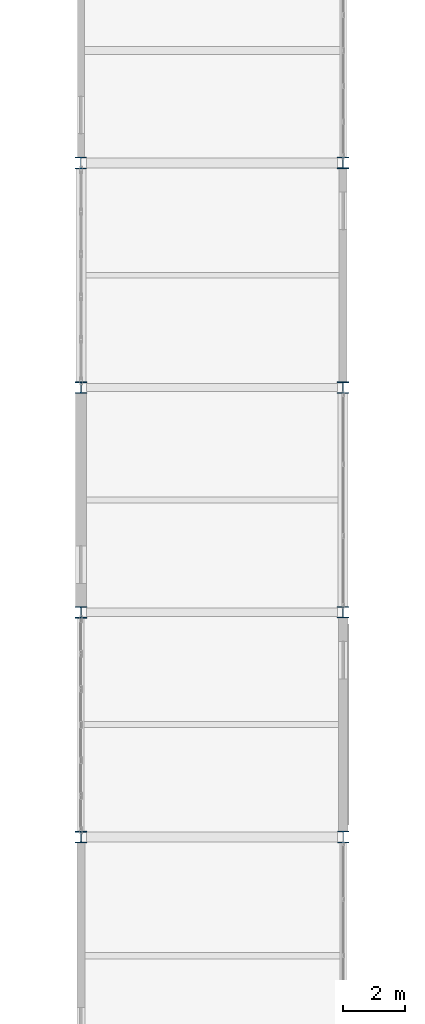
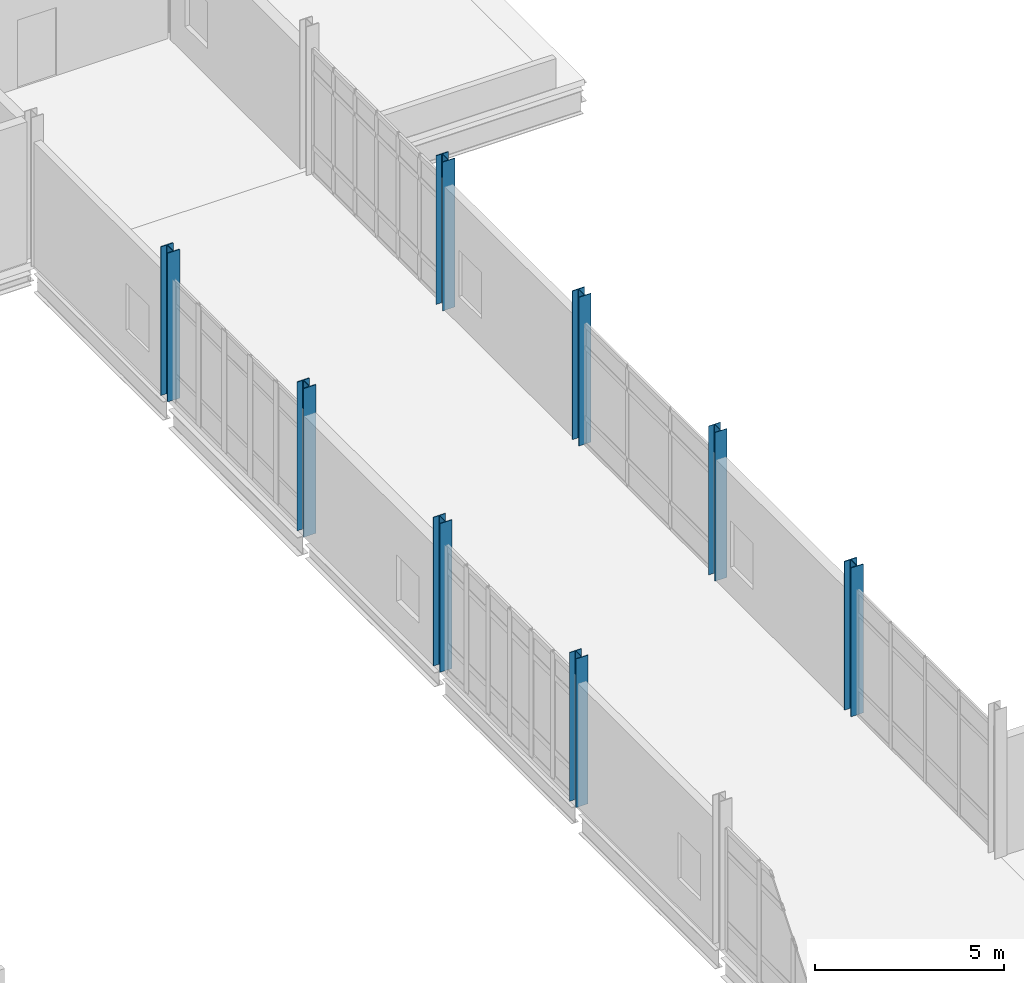
# One storey, part 11 of 186: 8 columns.
"""IFC4 building model written with IfcOpenShell, lengths in metres."""

import ifcopenshell
import ifcopenshell.guid

model = None  # the IFC model being written
_history = None  # IfcOwnerHistory: only IFC2X3 demands one
_inside = {}  # id of a spatial element -> (the spatial element, [elements in it])
_under = {}  # id of a project, library or spatial element -> (it, [spatial elements below it])
_declared = {}  # id of a project -> (the project, [libraries it declares])
_typed = {}  # id of a type object -> (the type object, [elements of that type])
_made_of = {}  # id of a material, layer set ... -> (it, [elements and type objects made of it])


def new_model(schema):
    """Start an empty IFC model of exactly this schema.

    Asked for "IFC4X3", IfcOpenShell would pick the latest addendum, in which some entities
    have other attributes; the version numbers below select the first issue.
    IFC2X3 requires an IfcOwnerHistory on every rooted entity: one is made here for all.
    """
    global model, _history
    if schema == "IFC4X3":
        model = ifcopenshell.file(schema_version=(4, 3, 0, 0))
    else:
        model = ifcopenshell.file(schema=schema)
    _inside.clear()
    _under.clear()
    _declared.clear()
    _typed.clear()
    _made_of.clear()
    _history = None
    if model.schema == "IFC2X3":
        org = make("IfcOrganization", Name="unknown")
        user = make(
            "IfcPersonAndOrganization",
            ThePerson=make("IfcPerson", FamilyName="unknown"),
            TheOrganization=org,
        )
        app = make(
            "IfcApplication",
            ApplicationDeveloper=org,
            Version="unknown",
            ApplicationFullName="unknown",
            ApplicationIdentifier="unknown",
        )
        _history = make(
            "IfcOwnerHistory",
            OwningUser=user,
            OwningApplication=app,
            ChangeAction="ADDED",
            CreationDate=0,
        )
    return model


def make(cls, **values):
    """One entity of the class cls with the attributes given. An attribute that is None is left unset."""
    return model.create_entity(
        cls, **{name: value for name, value in values.items() if value is not None}
    )


def rooted(cls, **values):
    """An entity with a GlobalId (a new one), such as an element, a storey or a relation."""
    return make(cls, GlobalId=ifcopenshell.guid.new(), OwnerHistory=_history, **values)


def si_unit(unit_type, name, prefix=None):
    """IfcSIUnit, for example si_unit("LENGTHUNIT", "METRE", prefix="MILLI")."""
    return make("IfcSIUnit", UnitType=unit_type, Prefix=prefix, Name=name)


def assignment(units):
    """IfcUnitAssignment: the units of a project."""
    return None if units is None else make("IfcUnitAssignment", Units=units)


def point(xyz):
    """IfcCartesianPoint."""
    return None if xyz is None else make("IfcCartesianPoint", Coordinates=xyz)


def direction(xyz):
    """IfcDirection."""
    return None if xyz is None else make("IfcDirection", DirectionRatios=xyz)


def frame(location, z_axis=None, x_axis=None):
    """IfcAxis2Placement3D, a coordinate frame: its origin and axes. An axis left out is left unset."""
    return make(
        "IfcAxis2Placement3D",
        Location=point(location),
        Axis=direction(z_axis),
        RefDirection=direction(x_axis),
    )


def frame_2d(location, x_axis=None):
    """IfcAxis2Placement2D, a coordinate frame in the plane: its origin and x axis."""
    return make(
        "IfcAxis2Placement2D", Location=point(location), RefDirection=direction(x_axis)
    )


def origin():
    """The frame at (0, 0, 0) with its axes left unset."""
    return frame((0.0, 0.0, 0.0))


def origin_2d():
    """The frame at (0, 0) in the plane with its x axis left unset."""
    return frame_2d((0.0, 0.0))


def place(relative_to, where):
    """IfcLocalPlacement: puts the frame where relative to a parent placement (None: the world)."""
    return make(
        "IfcLocalPlacement", PlacementRelTo=relative_to, RelativePlacement=where
    )


def context(
    kind, dimensions, precision=None, world=None, true_north=None, identifier=None
):
    """IfcGeometricRepresentationContext, for example the 3D "Model" context."""
    return make(
        "IfcGeometricRepresentationContext",
        ContextIdentifier=identifier,
        ContextType=kind,
        CoordinateSpaceDimension=dimensions,
        Precision=precision,
        WorldCoordinateSystem=world,
        TrueNorth=true_north,
    )


def subcontext(parent, identifier, kind, view, scale=None):
    """IfcGeometricRepresentationSubContext, for example "Body" below "Model"."""
    return make(
        "IfcGeometricRepresentationSubContext",
        ContextIdentifier=identifier,
        ContextType=kind,
        ParentContext=parent,
        TargetScale=scale,
        TargetView=view,
    )


def project(units=None, contexts=None):
    """IfcProject with its units and contexts."""
    return rooted(
        "IfcProject",
        Name="project",
        RepresentationContexts=contexts,
        UnitsInContext=assignment(units),
    )


def spatial(cls, under=None, at=None, **own):
    """A site, building, storey or space (cls), placed at a placement, below another one or the project."""
    s = rooted(cls, ObjectPlacement=at, **own)
    if under is not None:
        _under.setdefault(under.id(), (under, []))[1].append(s)
    return s


def profile(cls, at=None, kind="AREA", **sizes):
    """A parametric profile (cls). Its sizes go by their IFC names, for example OverallWidth=200.0."""
    return make(cls, ProfileType=kind, Position=at, **sizes)


def i_section(**sizes):
    """IfcIShapeProfileDef."""
    return profile("IfcIShapeProfileDef", **sizes)


def extrude(swept, where, along, depth):
    """IfcExtrudedAreaSolid: the profile swept, set in the frame where, extruded along a direction by depth."""
    return make(
        "IfcExtrudedAreaSolid",
        SweptArea=swept,
        Position=where,
        ExtrudedDirection=direction(along),
        Depth=depth,
    )


def shape(context_of_items, identifier, shape_type, items):
    """IfcShapeRepresentation: the items that make up one representation, for example the "Body"."""
    return make(
        "IfcShapeRepresentation",
        ContextOfItems=context_of_items,
        RepresentationIdentifier=identifier,
        RepresentationType=shape_type,
        Items=items,
    )


def material(Name=None, Category=None):
    """IfcMaterial."""
    return make("IfcMaterial", Name=Name, Category=Category)


def material_profile(
    of_material, cross_section, Name=None, Category=None, Priority=None
):
    """IfcMaterialProfile: a cross section and its material."""
    return make(
        "IfcMaterialProfile",
        Name=Name,
        Material=of_material,
        Profile=cross_section,
        Priority=Priority,
        Category=Category,
    )


def profile_set(profiles, Name=None, composite=None):
    """IfcMaterialProfileSet."""
    return make(
        "IfcMaterialProfileSet",
        Name=Name,
        MaterialProfiles=profiles,
        CompositeProfile=composite,
    )


def made_of(thing, what):
    """Note that an element or type object is made of a material, layer set ...; save() writes the relation."""
    if what is not None:
        _made_of.setdefault(what.id(), (what, []))[1].append(thing)
    return thing


def type_object(cls, material=None, **own):
    """A type object (cls), such as IfcWallType, which elements share."""
    return made_of(rooted(cls, **own), material)


def element(
    cls,
    number,
    at=None,
    inside=None,
    cuts=None,
    type_object=None,
    material=None,
    context=None,
    identifier="Body",
    shape_type=None,
    held_by="IfcProductDefinitionShape",
    body=None,
    shapes=None,
    **own,
):
    """One element of the class cls, such as IfcWall. Its Tag is "e" and its number.

    at: its placement. inside: the storey or other place that contains it. cuts: it is an
    opening in that element (IfcRelVoidsElement). A single representation is given by context,
    identifier, shape_type and body (its items); several are given by shapes. held_by: the class
    of the entity that holds the representations. save() writes the other relations.
    """
    e = rooted(cls, Tag="e%d" % number, ObjectPlacement=at, **own)
    if body is not None:
        shapes = [shape(context, identifier, shape_type, body)]
    if shapes is not None:
        e.Representation = make(held_by, Representations=shapes)
    if inside is not None:
        _inside.setdefault(inside.id(), (inside, []))[1].append(e)
    if cuts is not None:
        rooted(
            "IfcRelVoidsElement", RelatingBuildingElement=cuts, RelatedOpeningElement=e
        )
    if type_object is not None:
        _typed.setdefault(type_object.id(), (type_object, []))[1].append(e)
    return made_of(e, material)


def aggregate(whole, parts):
    """IfcRelAggregates: a whole, such as a stair, and the parts it consists of."""
    return rooted("IfcRelAggregates", RelatingObject=whole, RelatedObjects=parts)


def save(model, path):
    """Write the relations noted so far, then the file.

    IfcRelAggregates (storeys below a building ...), IfcRelContainedInSpatialStructure (elements
    in a storey), IfcRelDefinesByType, IfcRelAssociatesMaterial and IfcRelDeclares: one each for
    every whole, place, type object, material and project.
    """
    for whole, parts in _under.values():
        aggregate(whole, parts)
    for where, things in _inside.values():
        rooted(
            "IfcRelContainedInSpatialStructure",
            RelatedElements=things,
            RelatingStructure=where,
        )
    for kind, things in _typed.values():
        rooted("IfcRelDefinesByType", RelatedObjects=things, RelatingType=kind)
    for what, things in _made_of.values():
        rooted("IfcRelAssociatesMaterial", RelatedObjects=things, RelatingMaterial=what)
    for by, libraries in _declared.values():
        rooted("IfcRelDeclares", RelatingContext=by, RelatedDefinitions=libraries)
    model.write(path)


model = new_model("IFC4")

# Units and contexts
model_context = context("Model", 3, precision=1e-05, world=origin(), true_north=direction((0.0, 1.0)))
body_context = subcontext(model_context, "Body", "Model", "MODEL_VIEW")
ifc_project = project(units=[si_unit("LENGTHUNIT", "METRE"), si_unit("AREAUNIT", "SQUARE_METRE"), si_unit("VOLUMEUNIT", "CUBIC_METRE"), si_unit("PLANEANGLEUNIT", "RADIAN"), si_unit("MASSUNIT", "GRAM", prefix="KILO")], contexts=[model_context])

# Site, building, storey
site_placement = place(None, origin())
site = spatial("IfcSite", under=ifc_project, at=site_placement, CompositionType="ELEMENT")
building_placement = place(site_placement, origin())
building = spatial("IfcBuilding", under=site, at=building_placement, Name="Calvrana Isthmian Art Gallery", CompositionType="ELEMENT")
storey_placement = place(building_placement, frame((0.0, 0.0, 5.39990234375)))
storey = spatial("IfcBuildingStorey", under=building, at=storey_placement, Name="L01", CompositionType="ELEMENT", Elevation=5.39990234375)

# Columns
ifc_material = material(Name="Steel ASTM A992 Gr 50", Category="steel")
ifc_material_profile_1 = material_profile(ifc_material, i_section(OverallWidth=0.37109375, OverallDepth=0.363037109375, WebThickness=0.01318359375, FlangeThickness=0.021728515625, FilletRadius=0.02490234375, at=origin_2d()), Name="W14X109")
ifc_profile_set_1 = profile_set([ifc_material_profile_1], Name="Steel ASTM A992 Gr 50")
column_type_1 = type_object("IfcColumnType", Name="COL-STL-W14X109", PredefinedType="COLUMN", material=ifc_profile_set_1)
for number, where, z_axis, x_axis, name in (
    (1, (55.199951171875, 76.800048828125, 0.0), (0.0, 0.0, 1.0), (1.0, 0.0, 0.0), "Column 08/K L01"),
    (2, (63.60009765625, 84.0, 0.0), (0.0, 0.0, 1.0), (1.0, 0.0, 0.0), "Column 09/L L01"),
):
    element("IfcColumn", number, at=place(storey_placement, frame(where, z_axis=z_axis, x_axis=x_axis)), inside=storey, type_object=column_type_1, Name=name, PredefinedType="COLUMN", context=body_context, shape_type="SweptSolid", body=[
        extrude(i_section(OverallWidth=0.37109375, OverallDepth=0.363037109375, WebThickness=0.01318359375, FlangeThickness=0.021728515625, FilletRadius=0.02490234375, at=origin_2d()), origin(), (0.0, 0.0, 1.0), 4.800048828125),
    ])
ifc_material_profile_2 = material_profile(ifc_material, i_section(OverallWidth=0.373046875, OverallDepth=0.367919921875, WebThickness=0.014892578125, FlangeThickness=0.02392578125, FilletRadius=0.02490234375, at=origin_2d()), Name="W14X120")
ifc_profile_set_2 = profile_set([ifc_material_profile_2], Name="Steel ASTM A992 Gr 50")
column_type_2 = type_object("IfcColumnType", Name="COL-STL-W14X120", PredefinedType="COLUMN", material=ifc_profile_set_2)
for number, where, z_axis, x_axis, name in (
    (3, (55.199951171875, 84.0, 0.0), (0.0, 0.0, 1.0), (1.0, 0.0, 0.0), "Column 08/L L01"),
    (4, (63.60009765625, 91.199951171875, 0.0), (0.0, 0.0, 1.0), (1.0, 0.0, 0.0), "Column 09/M L01"),
):
    element("IfcColumn", number, at=place(storey_placement, frame(where, z_axis=z_axis, x_axis=x_axis)), inside=storey, type_object=column_type_2, Name=name, PredefinedType="COLUMN", context=body_context, shape_type="SweptSolid", body=[
        extrude(i_section(OverallWidth=0.373046875, OverallDepth=0.367919921875, WebThickness=0.014892578125, FlangeThickness=0.02392578125, FilletRadius=0.02490234375, at=origin_2d()), origin(), (0.0, 0.0, 1.0), 4.800048828125),
    ])
ifc_material_profile_3 = material_profile(ifc_material, i_section(OverallWidth=0.373046875, OverallDepth=0.373046875, WebThickness=0.016357421875, FlangeThickness=0.026123046875, FilletRadius=0.02490234375, at=origin_2d()), Name="W14X132")
ifc_profile_set_3 = profile_set([ifc_material_profile_3], Name="Steel ASTM A992 Gr 50")
column_type_3 = type_object("IfcColumnType", Name="COL-STL-W14X132", PredefinedType="COLUMN", material=ifc_profile_set_3)
for number, where, z_axis, x_axis, name in (
    (5, (55.199951171875, 91.199951171875, 0.0), (0.0, 0.0, 1.0), (1.0, 0.0, 0.0), "Column 08/M L01"),
    (6, (63.60009765625, 69.60009765625, 0.0), (0.0, 0.0, 1.0), (1.0, 0.0, 0.0), "Column 09/J L01"),
):
    element("IfcColumn", number, at=place(storey_placement, frame(where, z_axis=z_axis, x_axis=x_axis)), inside=storey, type_object=column_type_3, Name=name, PredefinedType="COLUMN", context=body_context, shape_type="SweptSolid", body=[
        extrude(i_section(OverallWidth=0.373046875, OverallDepth=0.373046875, WebThickness=0.016357421875, FlangeThickness=0.026123046875, FilletRadius=0.02490234375, at=origin_2d()), origin(), (0.0, 0.0, 1.0), 4.800048828125),
    ])
ifc_material_profile_4 = material_profile(ifc_material, i_section(OverallWidth=0.367919921875, OverallDepth=0.35595703125, WebThickness=0.01123046875, FlangeThickness=0.01806640625, FilletRadius=0.02490234375, at=origin_2d()), Name="W14X90")
ifc_profile_set_4 = profile_set([ifc_material_profile_4], Name="Steel ASTM A992 Gr 50")
column_type_4 = type_object("IfcColumnType", Name="COL-STL-W14X90", PredefinedType="COLUMN", material=ifc_profile_set_4)
for number, where, z_axis, x_axis, name in (
    (7, (55.199951171875, 69.60009765625, 0.0), (0.0, 0.0, 1.0), (1.0, 0.0, 0.0), "Column 08/J L01"),
    (8, (63.60009765625, 76.800048828125, 0.0), (0.0, 0.0, 1.0), (1.0, 0.0, 0.0), "Column 09/K L01"),
):
    element("IfcColumn", number, at=place(storey_placement, frame(where, z_axis=z_axis, x_axis=x_axis)), inside=storey, type_object=column_type_4, Name=name, PredefinedType="COLUMN", context=body_context, shape_type="SweptSolid", body=[
        extrude(i_section(OverallWidth=0.367919921875, OverallDepth=0.35595703125, WebThickness=0.01123046875, FlangeThickness=0.01806640625, FilletRadius=0.02490234375, at=origin_2d()), origin(), (0.0, 0.0, 1.0), 4.800048828125),
    ])

save(model, "model.ifc")
